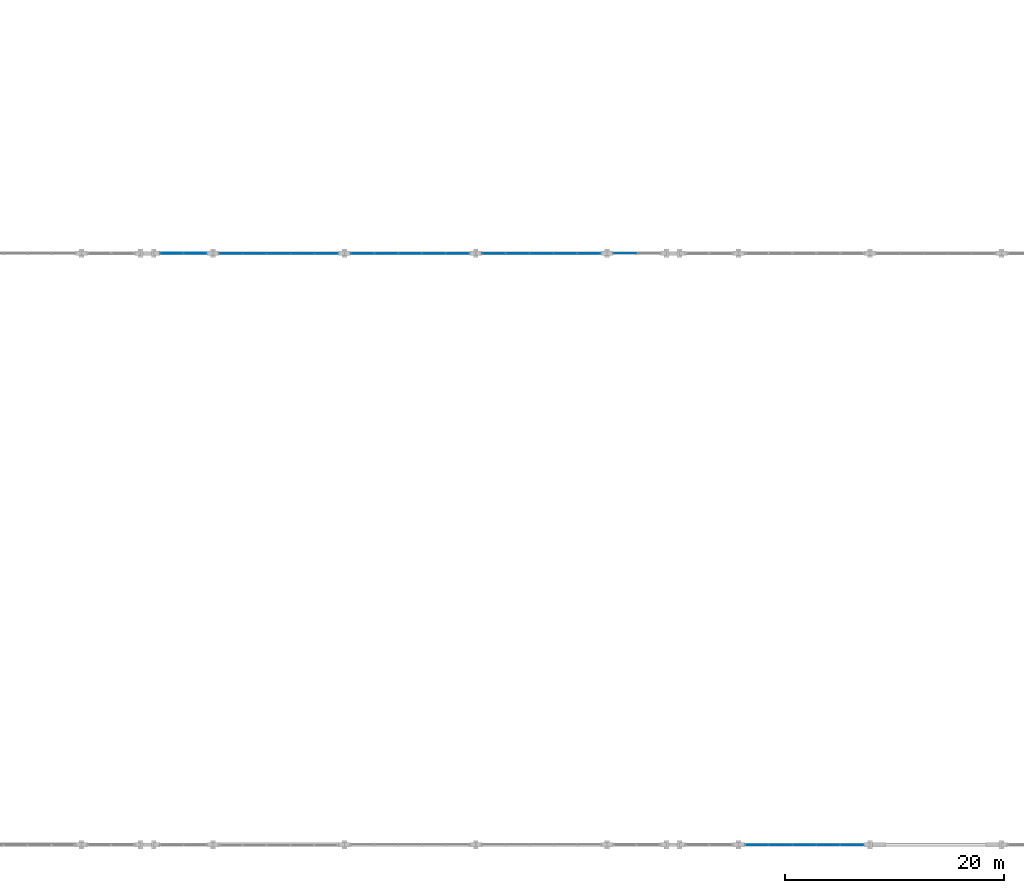
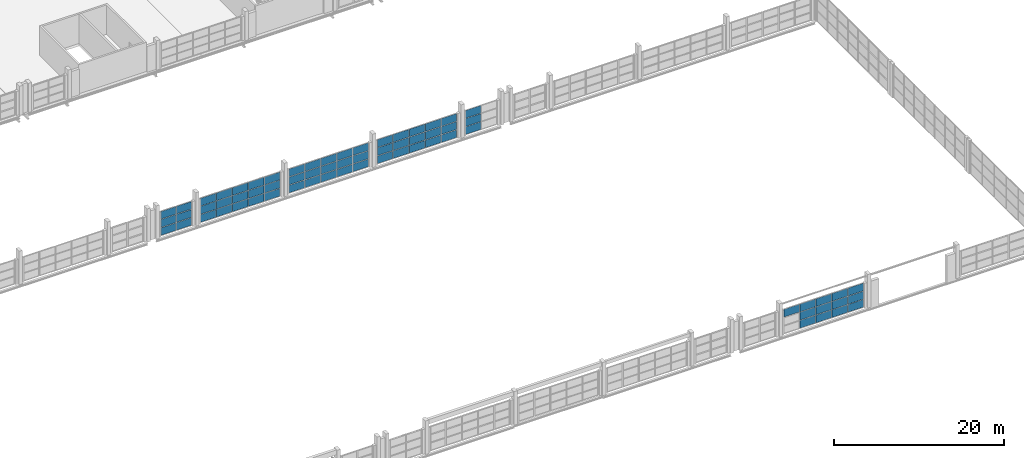
# One storey, part 124 of 147: 67 plates, 6 elements without a shape of their own.
"""IFC4 building model written with IfcOpenShell, lengths in metres."""

from ifc_helpers import new_model, si_unit, direction, frame, origin, origin_2d, place, context, subcontext, project, spatial, rectangle, extrude, material, layer, layer_set, type_object, element, aggregate, save


model = new_model("IFC4")

# Units and contexts
model_context = context("Model", 3, precision=1e-05, world=origin(), true_north=direction((0.0, 1.0)))
body_context = subcontext(model_context, "Body", "Model", "MODEL_VIEW")
ifc_project = project(units=[si_unit("LENGTHUNIT", "METRE"), si_unit("AREAUNIT", "SQUARE_METRE"), si_unit("VOLUMEUNIT", "CUBIC_METRE"), si_unit("PLANEANGLEUNIT", "RADIAN"), si_unit("MASSUNIT", "GRAM", prefix="KILO")], contexts=[model_context])

# Site, building, storey
site_placement = place(None, origin())
site = spatial("IfcSite", under=ifc_project, at=site_placement, CompositionType="ELEMENT")
building_placement = place(site_placement, origin())
building = spatial("IfcBuilding", under=site, at=building_placement, Name="Zilviju Railside Exhibition Hall", CompositionType="ELEMENT")
storey_placement = place(building_placement, frame((0.0, 0.0, 8.39990234375)))
storey = spatial("IfcBuildingStorey", under=building, at=storey_placement, Name="L03", CompositionType="ELEMENT", Elevation=8.39990234375)

# Curtain wall, plates
ifc_material_1 = material(Name="Thermally broken aluminium-steel triple-glazed curtain wall", Category="steel")
ifc_layer_1 = layer(ifc_material_1, 0.179931640625)
ifc_layer_set_1 = layer_set([ifc_layer_1], Name="Thermally broken aluminium-steel triple-glazed curtain wall")
curtain_wall_type_1 = type_object("IfcCurtainWallType", Name="CW-BAY-11", PredefinedType="USERDEFINED", material=ifc_layer_set_1)
curtain_wall_1_placement = place(storey_placement, origin())
curtain_wall_1 = element("IfcCurtainWall", 1, at=curtain_wall_1_placement, inside=storey, type_object=curtain_wall_type_1, Name="South Hall Garden Court Curtain Wall L03 (168..173)", ObjectType="GLAZED CURTAIN WALL", PredefinedType="USERDEFINED")
ifc_material_2 = material(Name="Laminated acoustic double-glazed porch unit", Category="glass")
ifc_layer_2 = layer(ifc_material_2, 0.031982421875)
ifc_layer_set_2 = layer_set([ifc_layer_2], Name="Laminated acoustic double-glazed porch unit")
plate_type_1 = type_object("IfcPlateType", Name="CWP-IGU-32", PredefinedType="CURTAIN_PANEL", material=ifc_layer_set_2)
plate_1_placement = place(storey_placement, frame((169.639892578125, 54.0, 0.06005859375), z_axis=(0.0, 0.0, 1.0), x_axis=(1.0, 0.0, 0.0)))
plate_1 = element("IfcPlate", 2, at=plate_1_placement, type_object=plate_type_1, Name="CW-11 panel 1.1", PredefinedType="CURTAIN_PANEL", context=body_context, shape_type="SweptSolid", body=[
    extrude(rectangle(XDim=2.06005859375, YDim=0.031982421875, at=origin_2d()), origin(), (0.0, 0.0, 1.0), 1.096923828125),
])
plate_2_placement = place(storey_placement, frame((169.639892578125, 54.0, 1.217041015625), z_axis=(0.0, 0.0, 1.0), x_axis=(1.0, 0.0, 0.0)))
plate_2 = element("IfcPlate", 3, at=plate_2_placement, type_object=plate_type_1, Name="CW-11 panel 1.2", PredefinedType="CURTAIN_PANEL", context=body_context, shape_type="SweptSolid", body=[
    extrude(rectangle(XDim=2.06005859375, YDim=0.031982421875, at=origin_2d()), origin(), (0.0, 0.0, 1.0), 1.1259765625),
])
plate_3_placement = place(storey_placement, frame((169.639892578125, 54.0, 2.4033203125), z_axis=(0.0, 0.0, 1.0), x_axis=(1.0, 0.0, 0.0)))
plate_3 = element("IfcPlate", 4, at=plate_3_placement, type_object=plate_type_1, Name="CW-11 panel 1.3", PredefinedType="CURTAIN_PANEL", context=body_context, shape_type="SweptSolid", body=[
    extrude(rectangle(XDim=2.06005859375, YDim=0.031982421875, at=origin_2d()), origin(), (0.0, 0.0, 1.0), 1.096923828125),
])
aggregate(curtain_wall_1, [plate_1, plate_2, plate_3])

ifc_layer_3 = layer(ifc_material_1, 0.179931640625)
ifc_layer_set_3 = layer_set([ifc_layer_3], Name="Thermally broken aluminium-steel triple-glazed curtain wall")
curtain_wall_type_2 = type_object("IfcCurtainWallType", Name="CW-BAY-10", PredefinedType="USERDEFINED", material=ifc_layer_set_3)
curtain_wall_2_placement = place(storey_placement, origin())
curtain_wall_2 = element("IfcCurtainWall", 5, at=curtain_wall_2_placement, inside=storey, type_object=curtain_wall_type_2, Name="South Hall Garden Court Curtain Wall L03 (156..168)", ObjectType="GLAZED CURTAIN WALL", PredefinedType="USERDEFINED")
ifc_material_3 = material(Name="Triple-glazed solar-control glass unit", Category="glass")
ifc_layer_4 = layer(ifc_material_3, 0.0380859375)
ifc_layer_set_4 = layer_set([ifc_layer_4], Name="Triple-glazed solar-control glass unit")
plate_type_2 = type_object("IfcPlateType", Name="CWP-IGU-38", PredefinedType="CURTAIN_PANEL", material=ifc_layer_set_4)
plate_4_placement = place(storey_placement, frame((157.65625, 54.0, 0.06494140625), z_axis=(0.0, 0.0, 1.0), x_axis=(1.0, 0.0, 0.0)))
plate_4 = element("IfcPlate", 6, at=plate_4_placement, type_object=plate_type_2, Name="CW-10 panel 1.1", PredefinedType="CURTAIN_PANEL", context=body_context, shape_type="SweptSolid", body=[
    extrude(rectangle(XDim=2.08251953125, YDim=0.0380859375, at=origin_2d()), origin(), (0.0, 0.0, 1.0), 1.089599609375),
])
plate_5_placement = place(storey_placement, frame((157.65625, 54.0, 1.219482421875), z_axis=(0.0, 0.0, 1.0), x_axis=(1.0, 0.0, 0.0)))
plate_5 = element("IfcPlate", 7, at=plate_5_placement, type_object=plate_type_2, Name="CW-10 panel 1.2", PredefinedType="CURTAIN_PANEL", context=body_context, shape_type="SweptSolid", body=[
    extrude(rectangle(XDim=2.08251953125, YDim=0.0380859375, at=origin_2d()), origin(), (0.0, 0.0, 1.0), 1.12109375),
])
plate_6_placement = place(storey_placement, frame((157.65625, 54.0, 2.40576171875), z_axis=(0.0, 0.0, 1.0), x_axis=(1.0, 0.0, 0.0)))
plate_6 = element("IfcPlate", 8, at=plate_6_placement, type_object=plate_type_2, Name="CW-10 panel 1.3", PredefinedType="CURTAIN_PANEL", context=body_context, shape_type="SweptSolid", body=[
    extrude(rectangle(XDim=2.08251953125, YDim=0.0380859375, at=origin_2d()), origin(), (0.0, 0.0, 1.0), 1.089599609375),
])
plate_7_placement = place(storey_placement, frame((159.820068359375, 54.0, 0.06494140625), z_axis=(0.0, 0.0, 1.0), x_axis=(1.0, 0.0, 0.0)))
plate_7 = element("IfcPlate", 9, at=plate_7_placement, type_object=plate_type_2, Name="CW-10 panel 2.1", PredefinedType="CURTAIN_PANEL", context=body_context, shape_type="SweptSolid", body=[
    extrude(rectangle(XDim=2.114990234375, YDim=0.0380859375, at=origin_2d()), origin(), (0.0, 0.0, 1.0), 1.089599609375),
])
plate_8_placement = place(storey_placement, frame((159.820068359375, 54.0, 1.219482421875), z_axis=(0.0, 0.0, 1.0), x_axis=(1.0, 0.0, 0.0)))
plate_8 = element("IfcPlate", 10, at=plate_8_placement, type_object=plate_type_2, Name="CW-10 panel 2.2", PredefinedType="CURTAIN_PANEL", context=body_context, shape_type="SweptSolid", body=[
    extrude(rectangle(XDim=2.114990234375, YDim=0.0380859375, at=origin_2d()), origin(), (0.0, 0.0, 1.0), 1.12109375),
])
plate_9_placement = place(storey_placement, frame((159.820068359375, 54.0, 2.40576171875), z_axis=(0.0, 0.0, 1.0), x_axis=(1.0, 0.0, 0.0)))
plate_9 = element("IfcPlate", 11, at=plate_9_placement, type_object=plate_type_2, Name="CW-10 panel 2.3", PredefinedType="CURTAIN_PANEL", context=body_context, shape_type="SweptSolid", body=[
    extrude(rectangle(XDim=2.114990234375, YDim=0.0380859375, at=origin_2d()), origin(), (0.0, 0.0, 1.0), 1.089599609375),
])
plate_10_placement = place(storey_placement, frame((162.0, 54.0, 0.06494140625), z_axis=(0.0, 0.0, 1.0), x_axis=(1.0, 0.0, 0.0)))
plate_10 = element("IfcPlate", 12, at=plate_10_placement, type_object=plate_type_2, Name="CW-10 panel 3.1", PredefinedType="CURTAIN_PANEL", context=body_context, shape_type="SweptSolid", body=[
    extrude(rectangle(XDim=2.114990234375, YDim=0.0380859375, at=origin_2d()), origin(), (0.0, 0.0, 1.0), 1.089599609375),
])
plate_11_placement = place(storey_placement, frame((162.0, 54.0, 1.219482421875), z_axis=(0.0, 0.0, 1.0), x_axis=(1.0, 0.0, 0.0)))
plate_11 = element("IfcPlate", 13, at=plate_11_placement, type_object=plate_type_2, Name="CW-10 panel 3.2", PredefinedType="CURTAIN_PANEL", context=body_context, shape_type="SweptSolid", body=[
    extrude(rectangle(XDim=2.114990234375, YDim=0.0380859375, at=origin_2d()), origin(), (0.0, 0.0, 1.0), 1.12109375),
])
plate_12_placement = place(storey_placement, frame((162.0, 54.0, 2.40576171875), z_axis=(0.0, 0.0, 1.0), x_axis=(1.0, 0.0, 0.0)))
plate_12 = element("IfcPlate", 14, at=plate_12_placement, type_object=plate_type_2, Name="CW-10 panel 3.3", PredefinedType="CURTAIN_PANEL", context=body_context, shape_type="SweptSolid", body=[
    extrude(rectangle(XDim=2.114990234375, YDim=0.0380859375, at=origin_2d()), origin(), (0.0, 0.0, 1.0), 1.089599609375),
])
plate_13_placement = place(storey_placement, frame((164.179931640625, 54.0, 0.06494140625), z_axis=(0.0, 0.0, 1.0), x_axis=(1.0, 0.0, 0.0)))
plate_13 = element("IfcPlate", 15, at=plate_13_placement, type_object=plate_type_2, Name="CW-10 panel 4.1", PredefinedType="CURTAIN_PANEL", context=body_context, shape_type="SweptSolid", body=[
    extrude(rectangle(XDim=2.114990234375, YDim=0.0380859375, at=origin_2d()), origin(), (0.0, 0.0, 1.0), 1.089599609375),
])
plate_14_placement = place(storey_placement, frame((164.179931640625, 54.0, 1.219482421875), z_axis=(0.0, 0.0, 1.0), x_axis=(1.0, 0.0, 0.0)))
plate_14 = element("IfcPlate", 16, at=plate_14_placement, type_object=plate_type_2, Name="CW-10 panel 4.2", PredefinedType="CURTAIN_PANEL", context=body_context, shape_type="SweptSolid", body=[
    extrude(rectangle(XDim=2.114990234375, YDim=0.0380859375, at=origin_2d()), origin(), (0.0, 0.0, 1.0), 1.12109375),
])
plate_15_placement = place(storey_placement, frame((164.179931640625, 54.0, 2.40576171875), z_axis=(0.0, 0.0, 1.0), x_axis=(1.0, 0.0, 0.0)))
plate_15 = element("IfcPlate", 17, at=plate_15_placement, type_object=plate_type_2, Name="CW-10 panel 4.3", PredefinedType="CURTAIN_PANEL", context=body_context, shape_type="SweptSolid", body=[
    extrude(rectangle(XDim=2.114990234375, YDim=0.0380859375, at=origin_2d()), origin(), (0.0, 0.0, 1.0), 1.089599609375),
])
plate_16_placement = place(storey_placement, frame((166.34375, 54.0, 0.06494140625), z_axis=(0.0, 0.0, 1.0), x_axis=(1.0, 0.0, 0.0)))
plate_16 = element("IfcPlate", 18, at=plate_16_placement, type_object=plate_type_2, Name="CW-10 panel 5.1", PredefinedType="CURTAIN_PANEL", context=body_context, shape_type="SweptSolid", body=[
    extrude(rectangle(XDim=2.08251953125, YDim=0.0380859375, at=origin_2d()), origin(), (0.0, 0.0, 1.0), 1.089599609375),
])
plate_17_placement = place(storey_placement, frame((166.34375, 54.0, 1.219482421875), z_axis=(0.0, 0.0, 1.0), x_axis=(1.0, 0.0, 0.0)))
plate_17 = element("IfcPlate", 19, at=plate_17_placement, type_object=plate_type_2, Name="CW-10 panel 5.2", PredefinedType="CURTAIN_PANEL", context=body_context, shape_type="SweptSolid", body=[
    extrude(rectangle(XDim=2.08251953125, YDim=0.0380859375, at=origin_2d()), origin(), (0.0, 0.0, 1.0), 1.12109375),
])
plate_18_placement = place(storey_placement, frame((166.34375, 54.0, 2.40576171875), z_axis=(0.0, 0.0, 1.0), x_axis=(1.0, 0.0, 0.0)))
plate_18 = element("IfcPlate", 20, at=plate_18_placement, type_object=plate_type_2, Name="CW-10 panel 5.3", PredefinedType="CURTAIN_PANEL", context=body_context, shape_type="SweptSolid", body=[
    extrude(rectangle(XDim=2.08251953125, YDim=0.0380859375, at=origin_2d()), origin(), (0.0, 0.0, 1.0), 1.089599609375),
])
aggregate(curtain_wall_2, [plate_4, plate_5, plate_6, plate_7, plate_8, plate_9, plate_10, plate_11, plate_12, plate_13, plate_14, plate_15, plate_16, plate_17, plate_18])

ifc_layer_5 = layer(ifc_material_1, 0.179931640625)
ifc_layer_set_5 = layer_set([ifc_layer_5], Name="Thermally broken aluminium-steel triple-glazed curtain wall")
curtain_wall_type_3 = type_object("IfcCurtainWallType", Name="CW-BAY-02", PredefinedType="USERDEFINED", material=ifc_layer_set_5)
curtain_wall_3_placement = place(storey_placement, origin())
curtain_wall_3 = element("IfcCurtainWall", 21, at=curtain_wall_3_placement, inside=storey, type_object=curtain_wall_type_3, Name="South Hall Facade Curtain Wall L03 (180..192)", ObjectType="GLAZED CURTAIN WALL", PredefinedType="USERDEFINED")
ifc_material_4 = material(Name="Triple-glazed low-E argon insulating glass unit", Category="glass")
ifc_layer_6 = layer(ifc_material_4, 0.0439453125)
ifc_layer_set_6 = layer_set([ifc_layer_6], Name="Triple-glazed low-E argon insulating glass unit")
plate_type_3 = type_object("IfcPlateType", Name="CWP-IGU-44", PredefinedType="CURTAIN_PANEL", material=ifc_layer_set_6)
plate_19_placement = place(storey_placement, frame((190.34619140625, 0.0, 0.05517578125), z_axis=(0.0, 0.0, 1.0), x_axis=(-1.0, 0.0, 0.0)))
plate_19 = element("IfcPlate", 22, at=plate_19_placement, type_object=plate_type_3, Name="CW-02 panel 1.1", PredefinedType="CURTAIN_PANEL", context=body_context, shape_type="SweptSolid", body=[
    extrude(rectangle(XDim=2.097412109375, YDim=0.0439453125, at=origin_2d()), origin(), (0.0, 0.0, 1.0), 1.1044921875),
])
plate_20_placement = place(storey_placement, frame((190.34619140625, 0.0, 1.21435546875), z_axis=(0.0, 0.0, 1.0), x_axis=(-1.0, 0.0, 0.0)))
plate_20 = element("IfcPlate", 23, at=plate_20_placement, type_object=plate_type_3, Name="CW-02 panel 1.2", PredefinedType="CURTAIN_PANEL", context=body_context, shape_type="SweptSolid", body=[
    extrude(rectangle(XDim=2.097412109375, YDim=0.0439453125, at=origin_2d()), origin(), (0.0, 0.0, 1.0), 1.131103515625),
])
plate_21_placement = place(storey_placement, frame((190.34619140625, 0.0, 2.400634765625), z_axis=(0.0, 0.0, 1.0), x_axis=(-1.0, 0.0, 0.0)))
plate_21 = element("IfcPlate", 24, at=plate_21_placement, type_object=plate_type_3, Name="CW-02 panel 1.3", PredefinedType="CURTAIN_PANEL", context=body_context, shape_type="SweptSolid", body=[
    extrude(rectangle(XDim=2.097412109375, YDim=0.0439453125, at=origin_2d()), origin(), (0.0, 0.0, 1.0), 1.1044921875),
])
plate_22_placement = place(storey_placement, frame((188.179931640625, 0.0, 0.05517578125), z_axis=(0.0, 0.0, 1.0), x_axis=(-1.0, 0.0, 0.0)))
plate_22 = element("IfcPlate", 25, at=plate_22_placement, type_object=plate_type_3, Name="CW-02 panel 2.1", PredefinedType="CURTAIN_PANEL", context=body_context, shape_type="SweptSolid", body=[
    extrude(rectangle(XDim=2.125, YDim=0.0439453125, at=origin_2d()), origin(), (0.0, 0.0, 1.0), 1.1044921875),
])
plate_23_placement = place(storey_placement, frame((188.179931640625, 0.0, 1.21435546875), z_axis=(0.0, 0.0, 1.0), x_axis=(-1.0, 0.0, 0.0)))
plate_23 = element("IfcPlate", 26, at=plate_23_placement, type_object=plate_type_3, Name="CW-02 panel 2.2", PredefinedType="CURTAIN_PANEL", context=body_context, shape_type="SweptSolid", body=[
    extrude(rectangle(XDim=2.125, YDim=0.0439453125, at=origin_2d()), origin(), (0.0, 0.0, 1.0), 1.131103515625),
])
plate_24_placement = place(storey_placement, frame((188.179931640625, 0.0, 2.400634765625), z_axis=(0.0, 0.0, 1.0), x_axis=(-1.0, 0.0, 0.0)))
plate_24 = element("IfcPlate", 27, at=plate_24_placement, type_object=plate_type_3, Name="CW-02 panel 2.3", PredefinedType="CURTAIN_PANEL", context=body_context, shape_type="SweptSolid", body=[
    extrude(rectangle(XDim=2.125, YDim=0.0439453125, at=origin_2d()), origin(), (0.0, 0.0, 1.0), 1.1044921875),
])
plate_25_placement = place(storey_placement, frame((186.0, 0.0, 0.05517578125), z_axis=(0.0, 0.0, 1.0), x_axis=(-1.0, 0.0, 0.0)))
plate_25 = element("IfcPlate", 28, at=plate_25_placement, type_object=plate_type_3, Name="CW-02 panel 3.1", PredefinedType="CURTAIN_PANEL", context=body_context, shape_type="SweptSolid", body=[
    extrude(rectangle(XDim=2.125, YDim=0.0439453125, at=origin_2d()), origin(), (0.0, 0.0, 1.0), 1.1044921875),
])
plate_26_placement = place(storey_placement, frame((186.0, 0.0, 1.21435546875), z_axis=(0.0, 0.0, 1.0), x_axis=(-1.0, 0.0, 0.0)))
plate_26 = element("IfcPlate", 29, at=plate_26_placement, type_object=plate_type_3, Name="CW-02 panel 3.2", PredefinedType="CURTAIN_PANEL", context=body_context, shape_type="SweptSolid", body=[
    extrude(rectangle(XDim=2.125, YDim=0.0439453125, at=origin_2d()), origin(), (0.0, 0.0, 1.0), 1.131103515625),
])
plate_27_placement = place(storey_placement, frame((186.0, 0.0, 2.400634765625), z_axis=(0.0, 0.0, 1.0), x_axis=(-1.0, 0.0, 0.0)))
plate_27 = element("IfcPlate", 30, at=plate_27_placement, type_object=plate_type_3, Name="CW-02 panel 3.3", PredefinedType="CURTAIN_PANEL", context=body_context, shape_type="SweptSolid", body=[
    extrude(rectangle(XDim=2.125, YDim=0.0439453125, at=origin_2d()), origin(), (0.0, 0.0, 1.0), 1.1044921875),
])
plate_28_placement = place(storey_placement, frame((183.820068359375, 0.0, 0.05517578125), z_axis=(0.0, 0.0, 1.0), x_axis=(-1.0, 0.0, 0.0)))
plate_28 = element("IfcPlate", 31, at=plate_28_placement, type_object=plate_type_3, Name="CW-02 panel 4.1", PredefinedType="CURTAIN_PANEL", context=body_context, shape_type="SweptSolid", body=[
    extrude(rectangle(XDim=2.125, YDim=0.0439453125, at=origin_2d()), origin(), (0.0, 0.0, 1.0), 1.1044921875),
])
plate_29_placement = place(storey_placement, frame((183.820068359375, 0.0, 1.21435546875), z_axis=(0.0, 0.0, 1.0), x_axis=(-1.0, 0.0, 0.0)))
plate_29 = element("IfcPlate", 32, at=plate_29_placement, type_object=plate_type_3, Name="CW-02 panel 4.2", PredefinedType="CURTAIN_PANEL", context=body_context, shape_type="SweptSolid", body=[
    extrude(rectangle(XDim=2.125, YDim=0.0439453125, at=origin_2d()), origin(), (0.0, 0.0, 1.0), 1.131103515625),
])
plate_30_placement = place(storey_placement, frame((183.820068359375, 0.0, 2.400634765625), z_axis=(0.0, 0.0, 1.0), x_axis=(-1.0, 0.0, 0.0)))
plate_30 = element("IfcPlate", 33, at=plate_30_placement, type_object=plate_type_3, Name="CW-02 panel 4.3", PredefinedType="CURTAIN_PANEL", context=body_context, shape_type="SweptSolid", body=[
    extrude(rectangle(XDim=2.125, YDim=0.0439453125, at=origin_2d()), origin(), (0.0, 0.0, 1.0), 1.1044921875),
])
plate_31_placement = place(storey_placement, frame((181.65380859375, 0.0, 2.400634765625), z_axis=(0.0, 0.0, 1.0), x_axis=(-1.0, 0.0, 0.0)))
plate_31 = element("IfcPlate", 34, at=plate_31_placement, type_object=plate_type_3, Name="CW-02 panel 5.3", PredefinedType="CURTAIN_PANEL", context=body_context, shape_type="SweptSolid", body=[
    extrude(rectangle(XDim=2.097412109375, YDim=0.0439453125, at=origin_2d()), origin(), (0.0, 0.0, 1.0), 1.1044921875),
])
aggregate(curtain_wall_3, [plate_19, plate_20, plate_21, plate_22, plate_23, plate_24, plate_25, plate_26, plate_27, plate_28, plate_29, plate_30, plate_31])

ifc_layer_7 = layer(ifc_material_1, 0.179931640625)
ifc_layer_set_7 = layer_set([ifc_layer_7], Name="Thermally broken aluminium-steel triple-glazed curtain wall")
curtain_wall_type_4 = type_object("IfcCurtainWallType", Name="CW-BAY-08", PredefinedType="USERDEFINED", material=ifc_layer_set_7)
curtain_wall_4_placement = place(storey_placement, origin())
curtain_wall_4 = element("IfcCurtainWall", 35, at=curtain_wall_4_placement, inside=storey, type_object=curtain_wall_type_4, Name="South Hall Garden Court Curtain Wall L03 (132..144)", ObjectType="GLAZED CURTAIN WALL", PredefinedType="USERDEFINED")
plate_32_placement = place(storey_placement, frame((133.65380859375, 54.0, 0.05517578125), z_axis=(0.0, 0.0, 1.0), x_axis=(1.0, 0.0, 0.0)))
plate_32 = element("IfcPlate", 36, at=plate_32_placement, type_object=plate_type_3, Name="CW-08 panel 1.1", PredefinedType="CURTAIN_PANEL", context=body_context, shape_type="SweptSolid", body=[
    extrude(rectangle(XDim=2.097412109375, YDim=0.0439453125, at=origin_2d()), origin(), (0.0, 0.0, 1.0), 1.1044921875),
])
plate_33_placement = place(storey_placement, frame((133.65380859375, 54.0, 1.21435546875), z_axis=(0.0, 0.0, 1.0), x_axis=(1.0, 0.0, 0.0)))
plate_33 = element("IfcPlate", 37, at=plate_33_placement, type_object=plate_type_3, Name="CW-08 panel 1.2", PredefinedType="CURTAIN_PANEL", context=body_context, shape_type="SweptSolid", body=[
    extrude(rectangle(XDim=2.097412109375, YDim=0.0439453125, at=origin_2d()), origin(), (0.0, 0.0, 1.0), 1.131103515625),
])
plate_34_placement = place(storey_placement, frame((133.65380859375, 54.0, 2.400634765625), z_axis=(0.0, 0.0, 1.0), x_axis=(1.0, 0.0, 0.0)))
plate_34 = element("IfcPlate", 38, at=plate_34_placement, type_object=plate_type_3, Name="CW-08 panel 1.3", PredefinedType="CURTAIN_PANEL", context=body_context, shape_type="SweptSolid", body=[
    extrude(rectangle(XDim=2.097412109375, YDim=0.0439453125, at=origin_2d()), origin(), (0.0, 0.0, 1.0), 1.1044921875),
])
plate_35_placement = place(storey_placement, frame((135.820068359375, 54.0, 0.05517578125), z_axis=(0.0, 0.0, 1.0), x_axis=(1.0, 0.0, 0.0)))
plate_35 = element("IfcPlate", 39, at=plate_35_placement, type_object=plate_type_3, Name="CW-08 panel 2.1", PredefinedType="CURTAIN_PANEL", context=body_context, shape_type="SweptSolid", body=[
    extrude(rectangle(XDim=2.125, YDim=0.0439453125, at=origin_2d()), origin(), (0.0, 0.0, 1.0), 1.1044921875),
])
plate_36_placement = place(storey_placement, frame((135.820068359375, 54.0, 1.21435546875), z_axis=(0.0, 0.0, 1.0), x_axis=(1.0, 0.0, 0.0)))
plate_36 = element("IfcPlate", 40, at=plate_36_placement, type_object=plate_type_3, Name="CW-08 panel 2.2", PredefinedType="CURTAIN_PANEL", context=body_context, shape_type="SweptSolid", body=[
    extrude(rectangle(XDim=2.125, YDim=0.0439453125, at=origin_2d()), origin(), (0.0, 0.0, 1.0), 1.131103515625),
])
plate_37_placement = place(storey_placement, frame((135.820068359375, 54.0, 2.400634765625), z_axis=(0.0, 0.0, 1.0), x_axis=(1.0, 0.0, 0.0)))
plate_37 = element("IfcPlate", 41, at=plate_37_placement, type_object=plate_type_3, Name="CW-08 panel 2.3", PredefinedType="CURTAIN_PANEL", context=body_context, shape_type="SweptSolid", body=[
    extrude(rectangle(XDim=2.125, YDim=0.0439453125, at=origin_2d()), origin(), (0.0, 0.0, 1.0), 1.1044921875),
])
plate_38_placement = place(storey_placement, frame((138.0, 54.0, 0.05517578125), z_axis=(0.0, 0.0, 1.0), x_axis=(1.0, 0.0, 0.0)))
plate_38 = element("IfcPlate", 42, at=plate_38_placement, type_object=plate_type_3, Name="CW-08 panel 3.1", PredefinedType="CURTAIN_PANEL", context=body_context, shape_type="SweptSolid", body=[
    extrude(rectangle(XDim=2.125, YDim=0.0439453125, at=origin_2d()), origin(), (0.0, 0.0, 1.0), 1.1044921875),
])
plate_39_placement = place(storey_placement, frame((138.0, 54.0, 1.21435546875), z_axis=(0.0, 0.0, 1.0), x_axis=(1.0, 0.0, 0.0)))
plate_39 = element("IfcPlate", 43, at=plate_39_placement, type_object=plate_type_3, Name="CW-08 panel 3.2", PredefinedType="CURTAIN_PANEL", context=body_context, shape_type="SweptSolid", body=[
    extrude(rectangle(XDim=2.125, YDim=0.0439453125, at=origin_2d()), origin(), (0.0, 0.0, 1.0), 1.131103515625),
])
plate_40_placement = place(storey_placement, frame((138.0, 54.0, 2.400634765625), z_axis=(0.0, 0.0, 1.0), x_axis=(1.0, 0.0, 0.0)))
plate_40 = element("IfcPlate", 44, at=plate_40_placement, type_object=plate_type_3, Name="CW-08 panel 3.3", PredefinedType="CURTAIN_PANEL", context=body_context, shape_type="SweptSolid", body=[
    extrude(rectangle(XDim=2.125, YDim=0.0439453125, at=origin_2d()), origin(), (0.0, 0.0, 1.0), 1.1044921875),
])
plate_41_placement = place(storey_placement, frame((140.179931640625, 54.0, 0.05517578125), z_axis=(0.0, 0.0, 1.0), x_axis=(1.0, 0.0, 0.0)))
plate_41 = element("IfcPlate", 45, at=plate_41_placement, type_object=plate_type_3, Name="CW-08 panel 4.1", PredefinedType="CURTAIN_PANEL", context=body_context, shape_type="SweptSolid", body=[
    extrude(rectangle(XDim=2.125, YDim=0.0439453125, at=origin_2d()), origin(), (0.0, 0.0, 1.0), 1.1044921875),
])
plate_42_placement = place(storey_placement, frame((140.179931640625, 54.0, 1.21435546875), z_axis=(0.0, 0.0, 1.0), x_axis=(1.0, 0.0, 0.0)))
plate_42 = element("IfcPlate", 46, at=plate_42_placement, type_object=plate_type_3, Name="CW-08 panel 4.2", PredefinedType="CURTAIN_PANEL", context=body_context, shape_type="SweptSolid", body=[
    extrude(rectangle(XDim=2.125, YDim=0.0439453125, at=origin_2d()), origin(), (0.0, 0.0, 1.0), 1.131103515625),
])
plate_43_placement = place(storey_placement, frame((140.179931640625, 54.0, 2.400634765625), z_axis=(0.0, 0.0, 1.0), x_axis=(1.0, 0.0, 0.0)))
plate_43 = element("IfcPlate", 47, at=plate_43_placement, type_object=plate_type_3, Name="CW-08 panel 4.3", PredefinedType="CURTAIN_PANEL", context=body_context, shape_type="SweptSolid", body=[
    extrude(rectangle(XDim=2.125, YDim=0.0439453125, at=origin_2d()), origin(), (0.0, 0.0, 1.0), 1.1044921875),
])
plate_44_placement = place(storey_placement, frame((142.34619140625, 54.0, 0.05517578125), z_axis=(0.0, 0.0, 1.0), x_axis=(1.0, 0.0, 0.0)))
plate_44 = element("IfcPlate", 48, at=plate_44_placement, type_object=plate_type_3, Name="CW-08 panel 5.1", PredefinedType="CURTAIN_PANEL", context=body_context, shape_type="SweptSolid", body=[
    extrude(rectangle(XDim=2.097412109375, YDim=0.0439453125, at=origin_2d()), origin(), (0.0, 0.0, 1.0), 1.1044921875),
])
plate_45_placement = place(storey_placement, frame((142.34619140625, 54.0, 1.21435546875), z_axis=(0.0, 0.0, 1.0), x_axis=(1.0, 0.0, 0.0)))
plate_45 = element("IfcPlate", 49, at=plate_45_placement, type_object=plate_type_3, Name="CW-08 panel 5.2", PredefinedType="CURTAIN_PANEL", context=body_context, shape_type="SweptSolid", body=[
    extrude(rectangle(XDim=2.097412109375, YDim=0.0439453125, at=origin_2d()), origin(), (0.0, 0.0, 1.0), 1.131103515625),
])
plate_46_placement = place(storey_placement, frame((142.34619140625, 54.0, 2.400634765625), z_axis=(0.0, 0.0, 1.0), x_axis=(1.0, 0.0, 0.0)))
plate_46 = element("IfcPlate", 50, at=plate_46_placement, type_object=plate_type_3, Name="CW-08 panel 5.3", PredefinedType="CURTAIN_PANEL", context=body_context, shape_type="SweptSolid", body=[
    extrude(rectangle(XDim=2.097412109375, YDim=0.0439453125, at=origin_2d()), origin(), (0.0, 0.0, 1.0), 1.1044921875),
])
aggregate(curtain_wall_4, [plate_32, plate_33, plate_34, plate_35, plate_36, plate_37, plate_38, plate_39, plate_40, plate_41, plate_42, plate_43, plate_44, plate_45, plate_46])

ifc_layer_8 = layer(ifc_material_1, 0.179931640625)
ifc_layer_set_8 = layer_set([ifc_layer_8], Name="Thermally broken aluminium-steel triple-glazed curtain wall")
curtain_wall_type_5 = type_object("IfcCurtainWallType", Name="CW-BAY-09", PredefinedType="USERDEFINED", material=ifc_layer_set_8)
curtain_wall_5_placement = place(storey_placement, origin())
curtain_wall_5 = element("IfcCurtainWall", 51, at=curtain_wall_5_placement, inside=storey, type_object=curtain_wall_type_5, Name="South Hall Garden Court Curtain Wall L03 (144..156)", ObjectType="GLAZED CURTAIN WALL", PredefinedType="USERDEFINED")
plate_47_placement = place(storey_placement, frame((145.657470703125, 54.0, 0.070068359375), z_axis=(0.0, 0.0, 1.0), x_axis=(1.0, 0.0, 0.0)))
plate_47 = element("IfcPlate", 52, at=plate_47_placement, type_object=plate_type_3, Name="CW-09 panel 1.1", PredefinedType="CURTAIN_PANEL", context=body_context, shape_type="SweptSolid", body=[
    extrude(rectangle(XDim=2.074951171875, YDim=0.0439453125, at=origin_2d()), origin(), (0.0, 0.0, 1.0), 1.08203125),
])
plate_48_placement = place(storey_placement, frame((145.657470703125, 54.0, 1.22216796875), z_axis=(0.0, 0.0, 1.0), x_axis=(1.0, 0.0, 0.0)))
plate_48 = element("IfcPlate", 53, at=plate_48_placement, type_object=plate_type_3, Name="CW-09 panel 1.2", PredefinedType="CURTAIN_PANEL", context=body_context, shape_type="SweptSolid", body=[
    extrude(rectangle(XDim=2.074951171875, YDim=0.0439453125, at=origin_2d()), origin(), (0.0, 0.0, 1.0), 1.115966796875),
])
plate_49_placement = place(storey_placement, frame((145.657470703125, 54.0, 2.408203125), z_axis=(0.0, 0.0, 1.0), x_axis=(1.0, 0.0, 0.0)))
plate_49 = element("IfcPlate", 54, at=plate_49_placement, type_object=plate_type_3, Name="CW-09 panel 1.3", PredefinedType="CURTAIN_PANEL", context=body_context, shape_type="SweptSolid", body=[
    extrude(rectangle(XDim=2.074951171875, YDim=0.0439453125, at=origin_2d()), origin(), (0.0, 0.0, 1.0), 1.08203125),
])
plate_50_placement = place(storey_placement, frame((147.820068359375, 54.0, 0.070068359375), z_axis=(0.0, 0.0, 1.0), x_axis=(1.0, 0.0, 0.0)))
plate_50 = element("IfcPlate", 55, at=plate_50_placement, type_object=plate_type_3, Name="CW-09 panel 2.1", PredefinedType="CURTAIN_PANEL", context=body_context, shape_type="SweptSolid", body=[
    extrude(rectangle(XDim=2.110107421875, YDim=0.0439453125, at=origin_2d()), origin(), (0.0, 0.0, 1.0), 1.08203125),
])
plate_51_placement = place(storey_placement, frame((147.820068359375, 54.0, 1.22216796875), z_axis=(0.0, 0.0, 1.0), x_axis=(1.0, 0.0, 0.0)))
plate_51 = element("IfcPlate", 56, at=plate_51_placement, type_object=plate_type_3, Name="CW-09 panel 2.2", PredefinedType="CURTAIN_PANEL", context=body_context, shape_type="SweptSolid", body=[
    extrude(rectangle(XDim=2.110107421875, YDim=0.0439453125, at=origin_2d()), origin(), (0.0, 0.0, 1.0), 1.115966796875),
])
plate_52_placement = place(storey_placement, frame((147.820068359375, 54.0, 2.408203125), z_axis=(0.0, 0.0, 1.0), x_axis=(1.0, 0.0, 0.0)))
plate_52 = element("IfcPlate", 57, at=plate_52_placement, type_object=plate_type_3, Name="CW-09 panel 2.3", PredefinedType="CURTAIN_PANEL", context=body_context, shape_type="SweptSolid", body=[
    extrude(rectangle(XDim=2.110107421875, YDim=0.0439453125, at=origin_2d()), origin(), (0.0, 0.0, 1.0), 1.08203125),
])
plate_53_placement = place(storey_placement, frame((150.0, 54.0, 0.070068359375), z_axis=(0.0, 0.0, 1.0), x_axis=(1.0, 0.0, 0.0)))
plate_53 = element("IfcPlate", 58, at=plate_53_placement, type_object=plate_type_3, Name="CW-09 panel 3.1", PredefinedType="CURTAIN_PANEL", context=body_context, shape_type="SweptSolid", body=[
    extrude(rectangle(XDim=2.110107421875, YDim=0.0439453125, at=origin_2d()), origin(), (0.0, 0.0, 1.0), 1.08203125),
])
plate_54_placement = place(storey_placement, frame((150.0, 54.0, 1.22216796875), z_axis=(0.0, 0.0, 1.0), x_axis=(1.0, 0.0, 0.0)))
plate_54 = element("IfcPlate", 59, at=plate_54_placement, type_object=plate_type_3, Name="CW-09 panel 3.2", PredefinedType="CURTAIN_PANEL", context=body_context, shape_type="SweptSolid", body=[
    extrude(rectangle(XDim=2.110107421875, YDim=0.0439453125, at=origin_2d()), origin(), (0.0, 0.0, 1.0), 1.115966796875),
])
plate_55_placement = place(storey_placement, frame((150.0, 54.0, 2.408203125), z_axis=(0.0, 0.0, 1.0), x_axis=(1.0, 0.0, 0.0)))
plate_55 = element("IfcPlate", 60, at=plate_55_placement, type_object=plate_type_3, Name="CW-09 panel 3.3", PredefinedType="CURTAIN_PANEL", context=body_context, shape_type="SweptSolid", body=[
    extrude(rectangle(XDim=2.110107421875, YDim=0.0439453125, at=origin_2d()), origin(), (0.0, 0.0, 1.0), 1.08203125),
])
plate_56_placement = place(storey_placement, frame((152.179931640625, 54.0, 0.070068359375), z_axis=(0.0, 0.0, 1.0), x_axis=(1.0, 0.0, 0.0)))
plate_56 = element("IfcPlate", 61, at=plate_56_placement, type_object=plate_type_3, Name="CW-09 panel 4.1", PredefinedType="CURTAIN_PANEL", context=body_context, shape_type="SweptSolid", body=[
    extrude(rectangle(XDim=2.110107421875, YDim=0.0439453125, at=origin_2d()), origin(), (0.0, 0.0, 1.0), 1.08203125),
])
plate_57_placement = place(storey_placement, frame((152.179931640625, 54.0, 1.22216796875), z_axis=(0.0, 0.0, 1.0), x_axis=(1.0, 0.0, 0.0)))
plate_57 = element("IfcPlate", 62, at=plate_57_placement, type_object=plate_type_3, Name="CW-09 panel 4.2", PredefinedType="CURTAIN_PANEL", context=body_context, shape_type="SweptSolid", body=[
    extrude(rectangle(XDim=2.110107421875, YDim=0.0439453125, at=origin_2d()), origin(), (0.0, 0.0, 1.0), 1.115966796875),
])
plate_58_placement = place(storey_placement, frame((152.179931640625, 54.0, 2.408203125), z_axis=(0.0, 0.0, 1.0), x_axis=(1.0, 0.0, 0.0)))
plate_58 = element("IfcPlate", 63, at=plate_58_placement, type_object=plate_type_3, Name="CW-09 panel 4.3", PredefinedType="CURTAIN_PANEL", context=body_context, shape_type="SweptSolid", body=[
    extrude(rectangle(XDim=2.110107421875, YDim=0.0439453125, at=origin_2d()), origin(), (0.0, 0.0, 1.0), 1.08203125),
])
plate_59_placement = place(storey_placement, frame((154.342529296875, 54.0, 0.070068359375), z_axis=(0.0, 0.0, 1.0), x_axis=(1.0, 0.0, 0.0)))
plate_59 = element("IfcPlate", 64, at=plate_59_placement, type_object=plate_type_3, Name="CW-09 panel 5.1", PredefinedType="CURTAIN_PANEL", context=body_context, shape_type="SweptSolid", body=[
    extrude(rectangle(XDim=2.074951171875, YDim=0.0439453125, at=origin_2d()), origin(), (0.0, 0.0, 1.0), 1.08203125),
])
plate_60_placement = place(storey_placement, frame((154.342529296875, 54.0, 1.22216796875), z_axis=(0.0, 0.0, 1.0), x_axis=(1.0, 0.0, 0.0)))
plate_60 = element("IfcPlate", 65, at=plate_60_placement, type_object=plate_type_3, Name="CW-09 panel 5.2", PredefinedType="CURTAIN_PANEL", context=body_context, shape_type="SweptSolid", body=[
    extrude(rectangle(XDim=2.074951171875, YDim=0.0439453125, at=origin_2d()), origin(), (0.0, 0.0, 1.0), 1.115966796875),
])
plate_61_placement = place(storey_placement, frame((154.342529296875, 54.0, 2.408203125), z_axis=(0.0, 0.0, 1.0), x_axis=(1.0, 0.0, 0.0)))
plate_61 = element("IfcPlate", 66, at=plate_61_placement, type_object=plate_type_3, Name="CW-09 panel 5.3", PredefinedType="CURTAIN_PANEL", context=body_context, shape_type="SweptSolid", body=[
    extrude(rectangle(XDim=2.074951171875, YDim=0.0439453125, at=origin_2d()), origin(), (0.0, 0.0, 1.0), 1.08203125),
])
aggregate(curtain_wall_5, [plate_47, plate_48, plate_49, plate_50, plate_51, plate_52, plate_53, plate_54, plate_55, plate_56, plate_57, plate_58, plate_59, plate_60, plate_61])

ifc_layer_9 = layer(ifc_material_1, 0.179931640625)
ifc_layer_set_9 = layer_set([ifc_layer_9], Name="Thermally broken aluminium-steel triple-glazed curtain wall")
curtain_wall_type_6 = type_object("IfcCurtainWallType", Name="CW-BAY-07", PredefinedType="USERDEFINED", material=ifc_layer_set_9)
curtain_wall_6_placement = place(storey_placement, origin())
curtain_wall_6 = element("IfcCurtainWall", 67, at=curtain_wall_6_placement, inside=storey, type_object=curtain_wall_type_6, Name="South Hall Garden Court Curtain Wall L03 (127..132)", ObjectType="GLAZED CURTAIN WALL", PredefinedType="USERDEFINED")
ifc_material_5 = material(Name="Insulated emerald ceramic-frit spandrel panel", Category="glass")
ifc_layer_10 = layer(ifc_material_5, 0.06396484375)
ifc_layer_set_10 = layer_set([ifc_layer_10], Name="Insulated emerald ceramic-frit spandrel panel")
plate_type_4 = type_object("IfcPlateType", Name="CWP-SPD-64", PredefinedType="CURTAIN_PANEL", material=ifc_layer_set_10)
plate_62_placement = place(storey_placement, frame((128.24365234375, 54.0, 0.0751953125), z_axis=(0.0, 0.0, 1.0), x_axis=(1.0, 0.0, 0.0)))
plate_62 = element("IfcPlate", 68, at=plate_62_placement, type_object=plate_type_4, Name="CW-07 panel 1.1", PredefinedType="CURTAIN_PANEL", context=body_context, shape_type="SweptSolid", body=[
    extrude(rectangle(XDim=2.03759765625, YDim=0.06396484375, at=origin_2d()), origin(), (0.0, 0.0, 1.0), 1.074462890625),
])
plate_63_placement = place(storey_placement, frame((128.24365234375, 54.0, 1.224609375), z_axis=(0.0, 0.0, 1.0), x_axis=(1.0, 0.0, 0.0)))
plate_63 = element("IfcPlate", 69, at=plate_63_placement, type_object=plate_type_4, Name="CW-07 panel 1.2", PredefinedType="CURTAIN_PANEL", context=body_context, shape_type="SweptSolid", body=[
    extrude(rectangle(XDim=2.03759765625, YDim=0.06396484375, at=origin_2d()), origin(), (0.0, 0.0, 1.0), 1.111083984375),
])
plate_64_placement = place(storey_placement, frame((128.24365234375, 54.0, 2.41064453125), z_axis=(0.0, 0.0, 1.0), x_axis=(1.0, 0.0, 0.0)))
plate_64 = element("IfcPlate", 70, at=plate_64_placement, type_object=plate_type_4, Name="CW-07 panel 1.3", PredefinedType="CURTAIN_PANEL", context=body_context, shape_type="SweptSolid", body=[
    extrude(rectangle(XDim=2.03759765625, YDim=0.06396484375, at=origin_2d()), origin(), (0.0, 0.0, 1.0), 1.074462890625),
])
plate_65_placement = place(storey_placement, frame((130.356201171875, 54.0, 0.0751953125), z_axis=(0.0, 0.0, 1.0), x_axis=(1.0, 0.0, 0.0)))
plate_65 = element("IfcPlate", 71, at=plate_65_placement, type_object=plate_type_4, Name="CW-07 panel 2.1", PredefinedType="CURTAIN_PANEL", context=body_context, shape_type="SweptSolid", body=[
    extrude(rectangle(XDim=2.03759765625, YDim=0.06396484375, at=origin_2d()), origin(), (0.0, 0.0, 1.0), 1.074462890625),
])
plate_66_placement = place(storey_placement, frame((130.356201171875, 54.0, 1.224609375), z_axis=(0.0, 0.0, 1.0), x_axis=(1.0, 0.0, 0.0)))
plate_66 = element("IfcPlate", 72, at=plate_66_placement, type_object=plate_type_4, Name="CW-07 panel 2.2", PredefinedType="CURTAIN_PANEL", context=body_context, shape_type="SweptSolid", body=[
    extrude(rectangle(XDim=2.03759765625, YDim=0.06396484375, at=origin_2d()), origin(), (0.0, 0.0, 1.0), 1.111083984375),
])
plate_67_placement = place(storey_placement, frame((130.356201171875, 54.0, 2.41064453125), z_axis=(0.0, 0.0, 1.0), x_axis=(1.0, 0.0, 0.0)))
plate_67 = element("IfcPlate", 73, at=plate_67_placement, type_object=plate_type_4, Name="CW-07 panel 2.3", PredefinedType="CURTAIN_PANEL", context=body_context, shape_type="SweptSolid", body=[
    extrude(rectangle(XDim=2.03759765625, YDim=0.06396484375, at=origin_2d()), origin(), (0.0, 0.0, 1.0), 1.074462890625),
])
aggregate(curtain_wall_6, [plate_62, plate_63, plate_64, plate_65, plate_66, plate_67])

save(model, "model.ifc")
